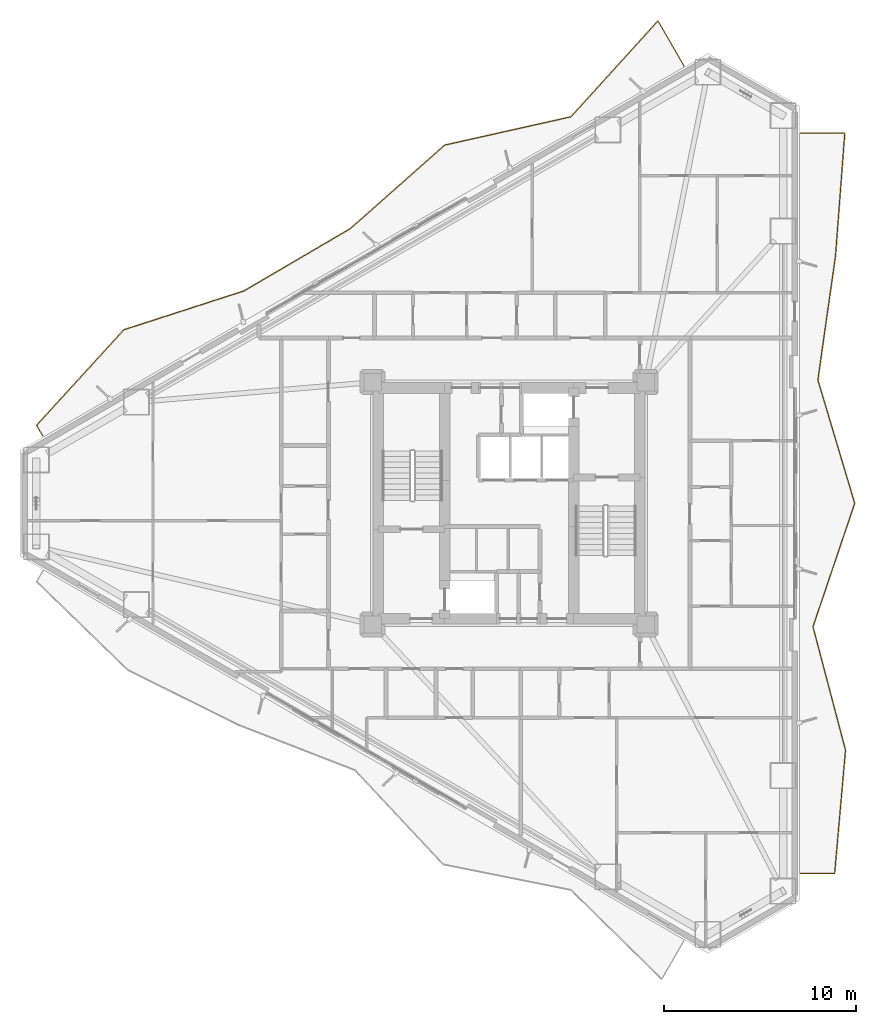
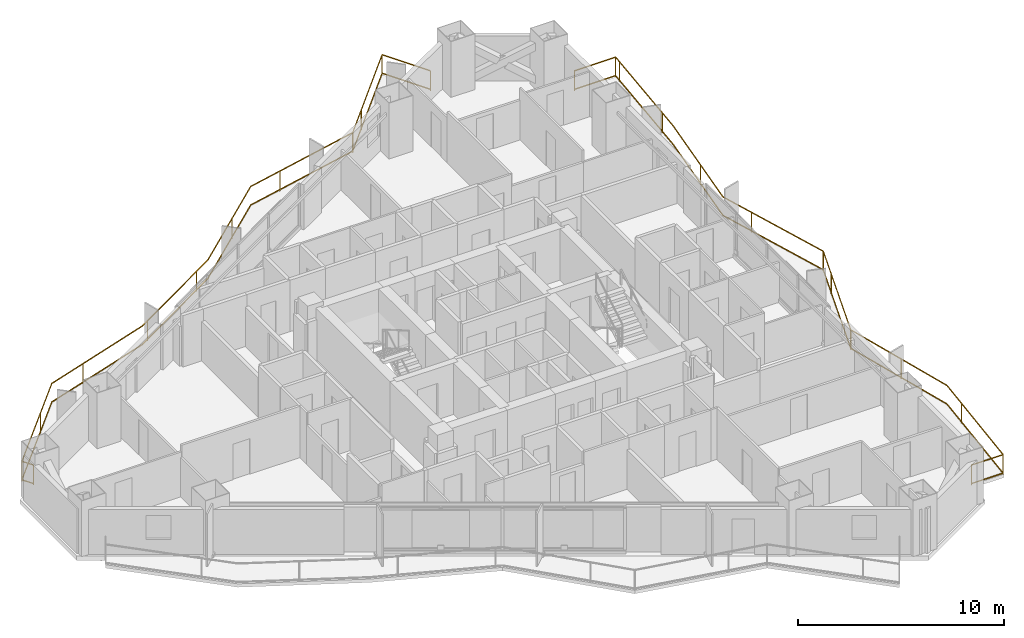
# One storey, part 19 of 19: 2 railings.
"""IFC4 building model written with IfcOpenShell, lengths in metres."""

from ifc_helpers import new_model, si_unit, direction, frame, origin, origin_2d, place, context, subcontext, project, spatial, rectangle, extrude, material, type_object, element, save


model = new_model("IFC4")

# Units and contexts
model_context = context("Model", 3, precision=1e-05, world=origin(), true_north=direction((0.0, 1.0)))
body_context = subcontext(model_context, "Body", "Model", "MODEL_VIEW")
ifc_project = project(units=[si_unit("LENGTHUNIT", "METRE"), si_unit("AREAUNIT", "SQUARE_METRE"), si_unit("VOLUMEUNIT", "CUBIC_METRE"), si_unit("PLANEANGLEUNIT", "RADIAN"), si_unit("MASSUNIT", "GRAM", prefix="KILO")], contexts=[model_context])

# Site, building, storey
site_placement = place(None, origin())
site = spatial("IfcSite", under=ifc_project, at=site_placement, CompositionType="ELEMENT")
building_placement = place(site_placement, origin())
building = spatial("IfcBuilding", under=site, at=building_placement, Name="Mersakhor Tower and Convention Hall", CompositionType="ELEMENT")
storey_placement = place(building_placement, frame((0.0, 0.0, 25.800048828125)))
storey = spatial("IfcBuildingStorey", under=building, at=storey_placement, Name="L06", CompositionType="ELEMENT", Elevation=25.800048828125)

# Railings
ifc_material = material(Name="Powder-coated galvanised steel and laminated glass balustrade", Category="steel")
railing_type = type_object("IfcRailingType", Name="RL-BAL-1200", PredefinedType="BALUSTRADE", material=ifc_material)
railing_1_placement = place(storey_placement, frame((38.099609375, 49.497314453125, 0.0)))
element("IfcRailing", 1, at=railing_1_placement, inside=storey, type_object=railing_type, Name="L06 Sinusoidal Balcony Balustrade F1", PredefinedType="BALUSTRADE", context=body_context, shape_type="SweptSolid", body=[
    extrude(rectangle(XDim=0.048095703125, YDim=0.048095703125, at=origin_2d()), frame((0.0, 0.0, 1.17578125), z_axis=(-0.500026769981, 0.866009947577, 0.0), x_axis=(-0.866009947577, -0.500026769981, 0.0)), (0.0, 0.0, 1.0), 2.708251953125),
    extrude(rectangle(XDim=0.048095703125, YDim=0.048095703125, at=origin_2d()), frame((0.0, 0.0, 0.080078125), z_axis=(-0.500026769981, 0.866009947577, 0.0), x_axis=(-0.866009947577, -0.500026769981, 0.0)), (0.0, 0.0, 1.0), 2.708251953125),
    extrude(rectangle(XDim=0.048095703125, YDim=0.048095703125, at=origin_2d()), frame((-1.354248046875, 2.345458984375, 1.17578125), z_axis=(-0.671971144235, -0.740577329734, 0.0), x_axis=(0.740577329734, -0.671971144235, 0.0)), (0.0, 0.0, 1.0), 6.739990234375),
    extrude(rectangle(XDim=0.048095703125, YDim=0.048095703125, at=origin_2d()), frame((-1.354248046875, 2.345458984375, 0.080078125), z_axis=(-0.671971144235, -0.740577329734, 0.0), x_axis=(0.740577329734, -0.671971144235, 0.0)), (0.0, 0.0, 1.0), 6.739990234375),
    extrude(rectangle(XDim=0.048095703125, YDim=0.048095703125, at=origin_2d()), frame((-5.88330078125, -2.64599609375, 1.17578125), z_axis=(-0.975825231314, -0.218552323096, 0.0), x_axis=(0.218552323096, -0.975825231314, 0.0)), (0.0, 0.0, 1.0), 6.724853515625),
    extrude(rectangle(XDim=0.048095703125, YDim=0.048095703125, at=origin_2d()), frame((-5.88330078125, -2.64599609375, 0.080078125), z_axis=(-0.975825231314, -0.218552323096, 0.0), x_axis=(0.218552323096, -0.975825231314, 0.0)), (0.0, 0.0, 1.0), 6.724853515625),
    extrude(rectangle(XDim=0.048095703125, YDim=0.048095703125, at=origin_2d()), frame((-12.445556640625, -4.11572265625, 1.17578125), z_axis=(-0.748758889093, -0.662842459416, 0.0), x_axis=(0.662842459416, -0.748758889093, 0.0)), (0.0, 0.0, 1.0), 6.5498046875),
    extrude(rectangle(XDim=0.048095703125, YDim=0.048095703125, at=origin_2d()), frame((-12.445556640625, -4.11572265625, 0.080078125), z_axis=(-0.748758889093, -0.662842459416, 0.0), x_axis=(0.662842459416, -0.748758889093, 0.0)), (0.0, 0.0, 1.0), 6.5498046875),
    extrude(rectangle(XDim=0.048095703125, YDim=0.048095703125, at=origin_2d()), frame((-17.349853515625, -8.457275390625, 1.17578125), z_axis=(-0.862829561167, -0.505494953858, 0.0), x_axis=(0.505494953858, -0.862829561167, 0.0)), (0.0, 0.0, 1.0), 6.418212890625),
    extrude(rectangle(XDim=0.048095703125, YDim=0.048095703125, at=origin_2d()), frame((-17.349853515625, -8.457275390625, 0.080078125), z_axis=(-0.862829561167, -0.505494953858, 0.0), x_axis=(0.505494953858, -0.862829561167, 0.0)), (0.0, 0.0, 1.0), 6.418212890625),
    extrude(rectangle(XDim=0.048095703125, YDim=0.048095703125, at=origin_2d()), frame((-22.8876953125, -11.70166015625, 1.17578125), z_axis=(-0.951508581101, -0.307622203507, 0.0), x_axis=(0.307622203507, -0.951508581101, 0.0)), (0.0, 0.0, 1.0), 6.5634765625),
    extrude(rectangle(XDim=0.048095703125, YDim=0.048095703125, at=origin_2d()), frame((-22.8876953125, -11.70166015625, 0.080078125), z_axis=(-0.951508581101, -0.307622203507, 0.0), x_axis=(0.307622203507, -0.951508581101, 0.0)), (0.0, 0.0, 1.0), 6.5634765625),
    extrude(rectangle(XDim=0.048095703125, YDim=0.048095703125, at=origin_2d()), frame((-29.1328125, -13.720703125, 1.17578125), z_axis=(-0.674513517683, -0.73826249699, 0.0), x_axis=(0.73826249699, -0.674513517683, 0.0)), (0.0, 0.0, 1.0), 6.732666015625),
    extrude(rectangle(XDim=0.048095703125, YDim=0.048095703125, at=origin_2d()), frame((-29.1328125, -13.720703125, 0.080078125), z_axis=(-0.674513517683, -0.73826249699, 0.0), x_axis=(0.73826249699, -0.674513517683, 0.0)), (0.0, 0.0, 1.0), 6.732666015625),
    extrude(rectangle(XDim=0.048095703125, YDim=0.048095703125, at=origin_2d()), frame((-33.674072265625, -18.691162109375, 1.17578125), z_axis=(0.500058503878, -0.86599162392, 0.0), x_axis=(0.86599162392, 0.500058503878, 0.0)), (0.0, 0.0, 1.0), 0.64990234375),
    extrude(rectangle(XDim=0.048095703125, YDim=0.048095703125, at=origin_2d()), frame((-33.674072265625, -18.691162109375, 0.080078125), z_axis=(0.500058503878, -0.86599162392, 0.0), x_axis=(0.86599162392, 0.500058503878, 0.0)), (0.0, 0.0, 1.0), 0.64990234375),
    extrude(rectangle(XDim=0.0419921875, YDim=0.0419921875, at=origin_2d()), origin(), (0.0, 0.0, 1.0), 1.15185546875),
    extrude(rectangle(XDim=0.0419921875, YDim=0.0419921875, at=origin_2d()), frame((-1.354248046875, 2.345458984375, 0.0)), (0.0, 0.0, 1.0), 1.15185546875),
    extrude(rectangle(XDim=0.0419921875, YDim=0.0419921875, at=origin_2d()), frame((-4.57958984375, -1.209228515625, 0.0)), (0.0, 0.0, 1.0), 1.15185546875),
    extrude(rectangle(XDim=0.0419921875, YDim=0.0419921875, at=origin_2d()), frame((-5.88330078125, -2.64599609375, 0.0)), (0.0, 0.0, 1.0), 1.15185546875),
    extrude(rectangle(XDim=0.0419921875, YDim=0.0419921875, at=origin_2d()), frame((-10.5673828125, -3.695068359375, 0.0)), (0.0, 0.0, 1.0), 1.15185546875),
    extrude(rectangle(XDim=0.0419921875, YDim=0.0419921875, at=origin_2d()), frame((-14.598388671875, -6.021484375, 0.0)), (0.0, 0.0, 1.0), 1.15185546875),
    extrude(rectangle(XDim=0.0419921875, YDim=0.0419921875, at=origin_2d()), frame((-18.32080078125, -9.026123046875, 0.0)), (0.0, 0.0, 1.0), 1.15185546875),
    extrude(rectangle(XDim=0.0419921875, YDim=0.0419921875, at=origin_2d()), frame((-22.46240234375, -11.452392578125, 0.0)), (0.0, 0.0, 1.0), 1.15185546875),
    extrude(rectangle(XDim=0.0419921875, YDim=0.0419921875, at=origin_2d()), frame((-26.98583984375, -13.026611328125, 0.0)), (0.0, 0.0, 1.0), 1.15185546875),
    extrude(rectangle(XDim=0.0419921875, YDim=0.0419921875, at=origin_2d()), frame((-30.8486328125, -15.5986328125, 0.0)), (0.0, 0.0, 1.0), 1.15185546875),
    extrude(rectangle(XDim=0.0419921875, YDim=0.0419921875, at=origin_2d()), frame((-33.674072265625, -18.691162109375, 0.0)), (0.0, 0.0, 1.0), 1.15185546875),
    extrude(rectangle(XDim=0.0419921875, YDim=0.0419921875, at=origin_2d()), frame((-33.34912109375, -19.25390625, 0.0)), (0.0, 0.0, 1.0), 1.15185546875),
])
railing_2_placement = place(storey_placement, frame((44.14990234375, 7.49609375, 0.0)))
element("IfcRailing", 2, at=railing_2_placement, inside=storey, type_object=railing_type, Name="L06 Sinusoidal Balcony Balustrade F2", PredefinedType="BALUSTRADE", context=body_context, shape_type="SweptSolid", body=[
    extrude(rectangle(XDim=0.048095703125, YDim=0.048095703125, at=origin_2d()), frame((0.0, 0.0, 1.17578125), z_axis=(1.0, 0.0, 0.0), x_axis=(0.0, 1.0, 0.0)), (0.0, 0.0, 1.0), 1.775390625),
    extrude(rectangle(XDim=0.048095703125, YDim=0.048095703125, at=origin_2d()), frame((0.0, 0.0, 0.080078125), z_axis=(1.0, 0.0, 0.0), x_axis=(0.0, 1.0, 0.0)), (0.0, 0.0, 1.0), 1.775390625),
    extrude(rectangle(XDim=0.048095703125, YDim=0.048095703125, at=origin_2d()), frame((1.775390625, 0.0, 1.17578125), z_axis=(0.087911504473, 0.996128288616, 0.0), x_axis=(-0.996128288616, 0.087911504473, 0.0)), (0.0, 0.0, 1.0), 6.44287109375),
    extrude(rectangle(XDim=0.048095703125, YDim=0.048095703125, at=origin_2d()), frame((1.775390625, 0.0, 0.080078125), z_axis=(0.087911504473, 0.996128288616, 0.0), x_axis=(-0.996128288616, 0.087911504473, 0.0)), (0.0, 0.0, 1.0), 6.44287109375),
    extrude(rectangle(XDim=0.048095703125, YDim=0.048095703125, at=origin_2d()), frame((2.341796875, 6.41796875, 1.17578125), z_axis=(-0.254875316899, 0.966973925623, 0.0), x_axis=(-0.966973925623, -0.254875316899, 0.0)), (0.0, 0.0, 1.0), 6.63720703125),
    extrude(rectangle(XDim=0.048095703125, YDim=0.048095703125, at=origin_2d()), frame((2.341796875, 6.41796875, 0.080078125), z_axis=(-0.254875316899, 0.966973925623, 0.0), x_axis=(-0.966973925623, -0.254875316899, 0.0)), (0.0, 0.0, 1.0), 6.63720703125),
    extrude(rectangle(XDim=0.048095703125, YDim=0.048095703125, at=origin_2d()), frame((0.650146484375, 12.8359375, 1.17578125), z_axis=(0.320289746531, 0.947319628355, 0.0), x_axis=(-0.947319628355, 0.320289746531, 0.0)), (0.0, 0.0, 1.0), 6.77490234375),
    extrude(rectangle(XDim=0.048095703125, YDim=0.048095703125, at=origin_2d()), frame((0.650146484375, 12.8359375, 0.080078125), z_axis=(0.320289746531, 0.947319628355, 0.0), x_axis=(-0.947319628355, 0.320289746531, 0.0)), (0.0, 0.0, 1.0), 6.77490234375),
    extrude(rectangle(XDim=0.048095703125, YDim=0.048095703125, at=origin_2d()), frame((2.820068359375, 19.25390625, 1.17578125), z_axis=(-0.286197362026, 0.958170689371, 0.0), x_axis=(-0.958170689371, -0.286197362026, 0.0)), (0.0, 0.0, 1.0), 6.6982421875),
    extrude(rectangle(XDim=0.048095703125, YDim=0.048095703125, at=origin_2d()), frame((2.820068359375, 19.25390625, 0.080078125), z_axis=(-0.286197362026, 0.958170689371, 0.0), x_axis=(-0.958170689371, -0.286197362026, 0.0)), (0.0, 0.0, 1.0), 6.6982421875),
    extrude(rectangle(XDim=0.048095703125, YDim=0.048095703125, at=origin_2d()), frame((0.903076171875, 25.671875, 1.17578125), z_axis=(0.141147190849, 0.989988621407, 0.0), x_axis=(-0.989988621407, 0.141147190849, 0.0)), (0.0, 0.0, 1.0), 6.48291015625),
    extrude(rectangle(XDim=0.048095703125, YDim=0.048095703125, at=origin_2d()), frame((0.903076171875, 25.671875, 0.080078125), z_axis=(0.141147190849, 0.989988621407, 0.0), x_axis=(-0.989988621407, 0.141147190849, 0.0)), (0.0, 0.0, 1.0), 6.48291015625),
    extrude(rectangle(XDim=0.048095703125, YDim=0.048095703125, at=origin_2d()), frame((1.818115234375, 32.08984375, 1.17578125), z_axis=(0.075672541902, 0.997132722561, 0.0), x_axis=(-0.997132722561, 0.075672541902, 0.0)), (0.0, 0.0, 1.0), 6.4365234375),
    extrude(rectangle(XDim=0.048095703125, YDim=0.048095703125, at=origin_2d()), frame((1.818115234375, 32.08984375, 0.080078125), z_axis=(0.075672541902, 0.997132722561, 0.0), x_axis=(-0.997132722561, 0.075672541902, 0.0)), (0.0, 0.0, 1.0), 6.4365234375),
    extrude(rectangle(XDim=0.048095703125, YDim=0.048095703125, at=origin_2d()), frame((2.30517578125, 38.5078125, 1.17578125), z_axis=(-1.0, 0.0, 0.0), x_axis=(0.0, -1.0, 0.0)), (0.0, 0.0, 1.0), 2.30517578125),
    extrude(rectangle(XDim=0.048095703125, YDim=0.048095703125, at=origin_2d()), frame((2.30517578125, 38.5078125, 0.080078125), z_axis=(-1.0, 0.0, 0.0), x_axis=(0.0, -1.0, 0.0)), (0.0, 0.0, 1.0), 2.30517578125),
    extrude(rectangle(XDim=0.0419921875, YDim=0.0419921875, at=origin_2d()), origin(), (0.0, 0.0, 1.0), 1.15185546875),
    extrude(rectangle(XDim=0.0419921875, YDim=0.0419921875, at=origin_2d()), frame((1.775390625, 0.0, 0.0)), (0.0, 0.0, 1.0), 1.15185546875),
    extrude(rectangle(XDim=0.0419921875, YDim=0.0419921875, at=origin_2d()), frame((2.197265625, 4.781494140625, 0.0)), (0.0, 0.0, 1.0), 1.15185546875),
    extrude(rectangle(XDim=0.0419921875, YDim=0.0419921875, at=origin_2d()), frame((1.537109375, 9.470703125, 0.0)), (0.0, 0.0, 1.0), 1.15185546875),
    extrude(rectangle(XDim=0.0419921875, YDim=0.0419921875, at=origin_2d()), frame((0.650146484375, 12.8359375, 0.0)), (0.0, 0.0, 1.0), 1.15185546875),
    extrude(rectangle(XDim=0.0419921875, YDim=0.0419921875, at=origin_2d()), frame((2.1875, 17.383056640625, 0.0)), (0.0, 0.0, 1.0), 1.15185546875),
    extrude(rectangle(XDim=0.0419921875, YDim=0.0419921875, at=origin_2d()), frame((2.820068359375, 19.25390625, 0.0)), (0.0, 0.0, 1.0), 1.15185546875),
    extrude(rectangle(XDim=0.0419921875, YDim=0.0419921875, at=origin_2d()), frame((1.4462890625, 23.85302734375, 0.0)), (0.0, 0.0, 1.0), 1.15185546875),
    extrude(rectangle(XDim=0.0419921875, YDim=0.0419921875, at=origin_2d()), frame((1.312744140625, 28.544677734375, 0.0)), (0.0, 0.0, 1.0), 1.15185546875),
    extrude(rectangle(XDim=0.0419921875, YDim=0.0419921875, at=origin_2d()), frame((1.910400390625, 33.305419921875, 0.0)), (0.0, 0.0, 1.0), 1.15185546875),
    extrude(rectangle(XDim=0.0419921875, YDim=0.0419921875, at=origin_2d()), frame((2.273681640625, 38.091552734375, 0.0)), (0.0, 0.0, 1.0), 1.15185546875),
    extrude(rectangle(XDim=0.0419921875, YDim=0.0419921875, at=origin_2d()), frame((2.30517578125, 38.5078125, 0.0)), (0.0, 0.0, 1.0), 1.15185546875),
    extrude(rectangle(XDim=0.0419921875, YDim=0.0419921875, at=origin_2d()), frame((0.0, 38.5078125, 0.0)), (0.0, 0.0, 1.0), 1.15185546875),
])

save(model, "model.ifc")
